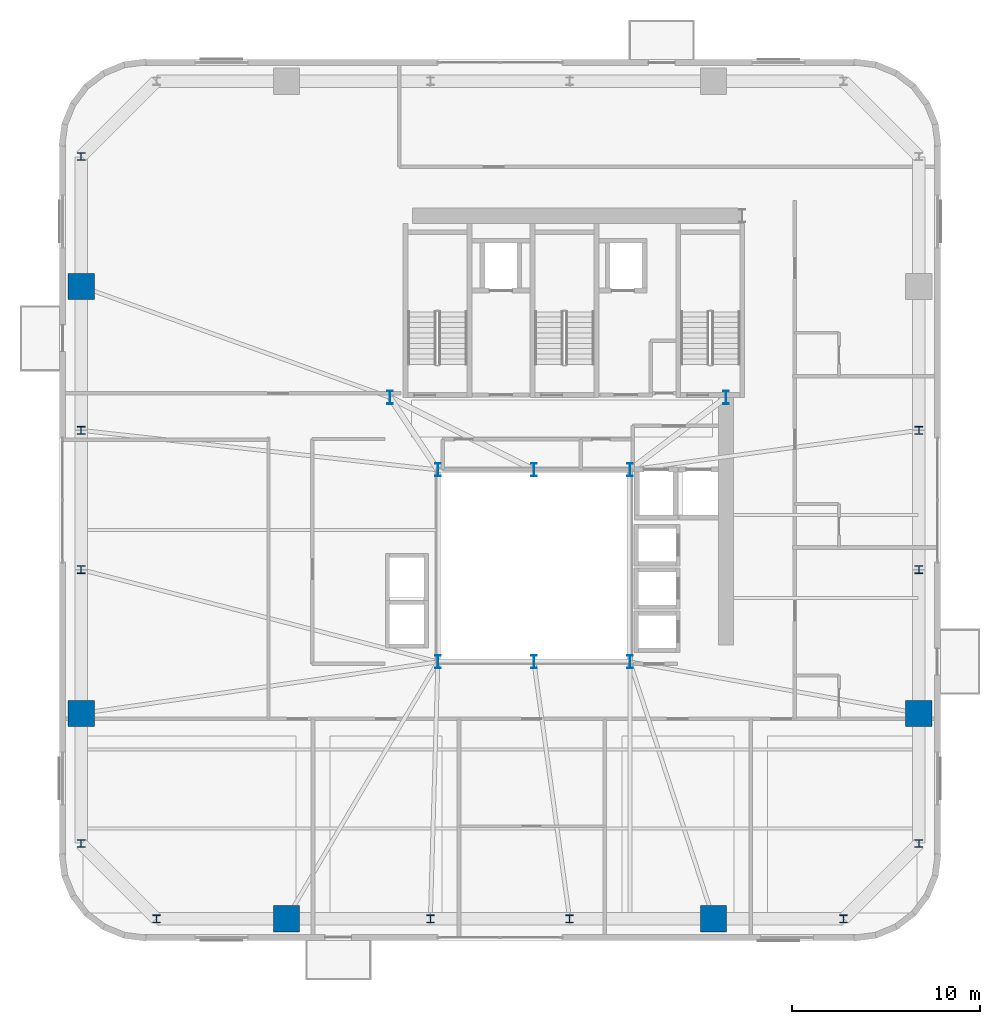
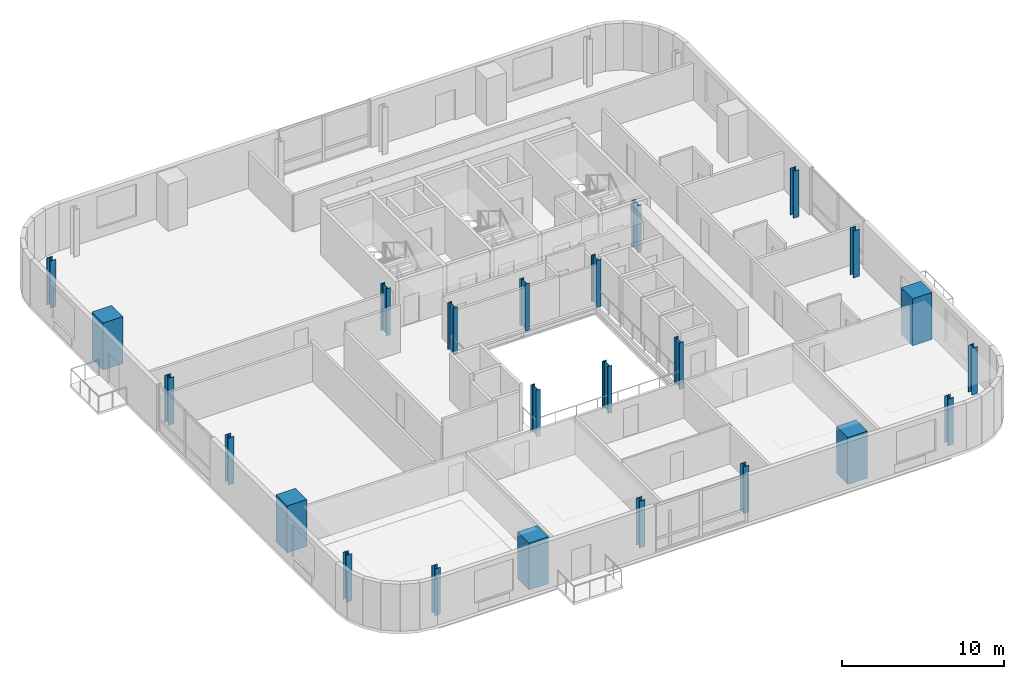
# One storey, part 1 of 16: 24 columns.
"""IFC4 building model written with IfcOpenShell, lengths in metres."""

from ifc_helpers import new_model, si_unit, direction, frame, origin, origin_2d, place, context, subcontext, project, spatial, rectangle, i_section, extrude, source, transform, mapped, material, material_profile, profile_set, type_object, element, save


model = new_model("IFC4")

# Units and contexts
model_context = context("Model", 3, precision=1e-05, world=origin(), true_north=direction((0.0, 1.0)))
body_context = subcontext(model_context, "Body", "Model", "MODEL_VIEW")
ifc_project = project(units=[si_unit("LENGTHUNIT", "METRE"), si_unit("AREAUNIT", "SQUARE_METRE"), si_unit("VOLUMEUNIT", "CUBIC_METRE"), si_unit("PLANEANGLEUNIT", "RADIAN"), si_unit("MASSUNIT", "GRAM", prefix="KILO")], contexts=[model_context])

# Site, building, storey
site_placement = place(None, origin())
site = spatial("IfcSite", under=ifc_project, at=site_placement, CompositionType="ELEMENT")
building_placement = place(site_placement, origin())
building = spatial("IfcBuilding", under=site, at=building_placement, Name="Vardaveli Station Tower", CompositionType="ELEMENT")
storey_placement = place(building_placement, frame((0.0, 0.0, 188.550048828125)))
storey = spatial("IfcBuildingStorey", under=building, at=storey_placement, Name="L48", CompositionType="ELEMENT", Elevation=188.550048828125)

# Columns
ifc_material_1 = material(Name="Structural steel S460M", Category="steel")
ifc_material_profile_1 = material_profile(ifc_material_1, i_section(OverallWidth=0.300048828125, OverallDepth=0.699951171875, WebThickness=0.01708984375, FlangeThickness=0.031982421875, FilletRadius=0.027099609375, at=origin_2d()), Name="HEB 700")
ifc_profile_set_1 = profile_set([ifc_material_profile_1], Name="Structural steel S460M")
column_type_1 = type_object("IfcColumnType", Name="COL-HEB700", PredefinedType="COLUMN", material=ifc_profile_set_1)
shared_shape_1 = source(origin(), body_context, "Body", "SweptSolid", [
    extrude(i_section(OverallWidth=0.300048828125, OverallDepth=0.699951171875, WebThickness=0.01708984375, FlangeThickness=0.031982421875, FilletRadius=0.027099609375, at=origin_2d()), origin(), (0.0, 0.0, 1.0), 3.530029296875),
])
for number, where, z_axis, x_axis, name in (
    (1, (31.199951171875, 16.60009765625, 0.0), (0.0, 0.0, 1.0), (1.0, 0.0, 0.0), "COL-L48-AC1"),
    (2, (36.300048828125, 16.60009765625, 0.0), (0.0, 0.0, 1.0), (1.0, 0.0, 0.0), "COL-L48-AC2"),
    (3, (41.39990234375, 16.60009765625, 0.0), (0.0, 0.0, 1.0), (1.0, 0.0, 0.0), "COL-L48-AC3"),
    (4, (41.39990234375, 26.800048828125, 0.0), (0.0, 0.0, 1.0), (1.0, 0.0, 0.0), "COL-L48-AC4"),
    (5, (36.300048828125, 26.800048828125, 0.0), (0.0, 0.0, 1.0), (1.0, 0.0, 0.0), "COL-L48-AC5"),
    (6, (31.199951171875, 26.800048828125, 0.0), (0.0, 0.0, 1.0), (1.0, 0.0, 0.0), "COL-L48-AC6"),
    (7, (28.64990234375, 30.64990234375, 0.0), (0.0, 0.0, 1.0), (1.0, 0.0, 0.0), "COL-L48-CC1"),
    (8, (46.5, 30.64990234375, 0.0), (0.0, 0.0, 1.0), (1.0, 0.0, 0.0), "COL-L48-CC2"),
):
    element("IfcColumn", number, at=place(storey_placement, frame(where, z_axis=z_axis, x_axis=x_axis)), inside=storey, type_object=column_type_1, Name=name, PredefinedType="COLUMN", context=body_context, shape_type="MappedRepresentation", body=[
        mapped(shared_shape_1, transform((0.0, 0.0, 0.0), scale=1.0)),
    ])
ifc_material_2 = material(Name="Concrete C50/60", Category="concrete")
ifc_material_profile_2 = material_profile(ifc_material_2, rectangle(XDim=1.39990234375, YDim=1.39990234375, at=origin_2d()), Name="MC 1400x1400")
ifc_profile_set_2 = profile_set([ifc_material_profile_2], Name="Concrete C50/60")
column_type_2 = type_object("IfcColumnType", Name="COL-MC-1400", PredefinedType="COLUMN", material=ifc_profile_set_2)
shared_shape_2 = source(origin(), body_context, "Body", "SweptSolid", [
    extrude(rectangle(XDim=1.39990234375, YDim=1.39990234375, at=origin_2d()), origin(), (0.0, 0.0, 1.0), 3.530029296875),
])
for number, where, z_axis, x_axis, name in (
    (9, (23.159912109375, 2.949951171875, 0.0), (0.0, 0.0, 1.0), (1.0, 0.0, 0.0), "COL-L48-MC1"),
    (10, (45.840087890625, 2.949951171875, 0.0), (0.0, 0.0, 1.0), (1.0, 0.0, 0.0), "COL-L48-MC2"),
    (11, (56.75, 13.860107421875, 0.0), (0.0, 0.0, 1.0), (1.0, 0.0, 0.0), "COL-L48-MC3"),
    (12, (12.25, 36.5400390625, 0.0), (0.0, 0.0, 1.0), (1.0, 0.0, 0.0), "COL-L48-MC7"),
    (13, (12.25, 13.860107421875, 0.0), (0.0, 0.0, 1.0), (1.0, 0.0, 0.0), "COL-L48-MC8"),
):
    element("IfcColumn", number, at=place(storey_placement, frame(where, z_axis=z_axis, x_axis=x_axis)), inside=storey, type_object=column_type_2, Name=name, PredefinedType="COLUMN", context=body_context, shape_type="MappedRepresentation", body=[
        mapped(shared_shape_2, transform((0.0, 0.0, 0.0), scale=1.0)),
    ])
ifc_material_profile_3 = material_profile(ifc_material_1, i_section(OverallWidth=0.408935546875, OverallDepth=0.4169921875, WebThickness=0.021240234375, FlangeThickness=0.033203125, FilletRadius=0.014892578125, at=origin_2d()), Name="HD 400x347")
ifc_profile_set_3 = profile_set([ifc_material_profile_3], Name="Structural steel S460M")
column_type_3 = type_object("IfcColumnType", Name="COL-HD347", PredefinedType="COLUMN", material=ifc_profile_set_3)
shared_shape_3 = source(origin(), body_context, "Body", "SweptSolid", [
    extrude(i_section(OverallWidth=0.408935546875, OverallDepth=0.4169921875, WebThickness=0.021240234375, FlangeThickness=0.033203125, FilletRadius=0.014892578125, at=origin_2d()), origin(), (0.0, 0.0, 1.0), 3.530029296875),
])
for number, where, z_axis, x_axis, name in (
    (14, (16.25, 2.949951171875, 0.0), (0.0, 0.0, 1.0), (1.0, 0.0, 0.0), "COL-L48-PC01"),
    (15, (30.800048828125, 2.949951171875, 0.0), (0.0, 0.0, 1.0), (1.0, 0.0, 0.0), "COL-L48-PC02"),
    (16, (38.199951171875, 2.949951171875, 0.0), (0.0, 0.0, 1.0), (1.0, 0.0, 0.0), "COL-L48-PC03"),
    (17, (52.75, 2.949951171875, 0.0), (0.0, 0.0, 1.0), (1.0, 0.0, 0.0), "COL-L48-PC04"),
    (18, (56.75, 6.949951171875, 0.0), (0.0, 0.0, 1.0), (1.0, 0.0, 0.0), "COL-L48-PC05"),
    (19, (56.75, 21.5, 0.0), (0.0, 0.0, 1.0), (1.0, 0.0, 0.0), "COL-L48-PC06"),
    (20, (56.75, 28.89990234375, 0.0), (0.0, 0.0, 1.0), (1.0, 0.0, 0.0), "COL-L48-PC07"),
    (21, (12.25, 43.449951171875, 0.0), (0.0, 0.0, 1.0), (1.0, 0.0, 0.0), "COL-L48-PC13"),
    (22, (12.25, 28.89990234375, 0.0), (0.0, 0.0, 1.0), (1.0, 0.0, 0.0), "COL-L48-PC14"),
    (23, (12.25, 21.5, 0.0), (0.0, 0.0, 1.0), (1.0, 0.0, 0.0), "COL-L48-PC15"),
    (24, (12.25, 6.949951171875, 0.0), (0.0, 0.0, 1.0), (1.0, 0.0, 0.0), "COL-L48-PC16"),
):
    element("IfcColumn", number, at=place(storey_placement, frame(where, z_axis=z_axis, x_axis=x_axis)), inside=storey, type_object=column_type_3, Name=name, PredefinedType="COLUMN", context=body_context, shape_type="MappedRepresentation", body=[
        mapped(shared_shape_3, transform((0.0, 0.0, 0.0), scale=1.0)),
    ])

save(model, "model.ifc")
